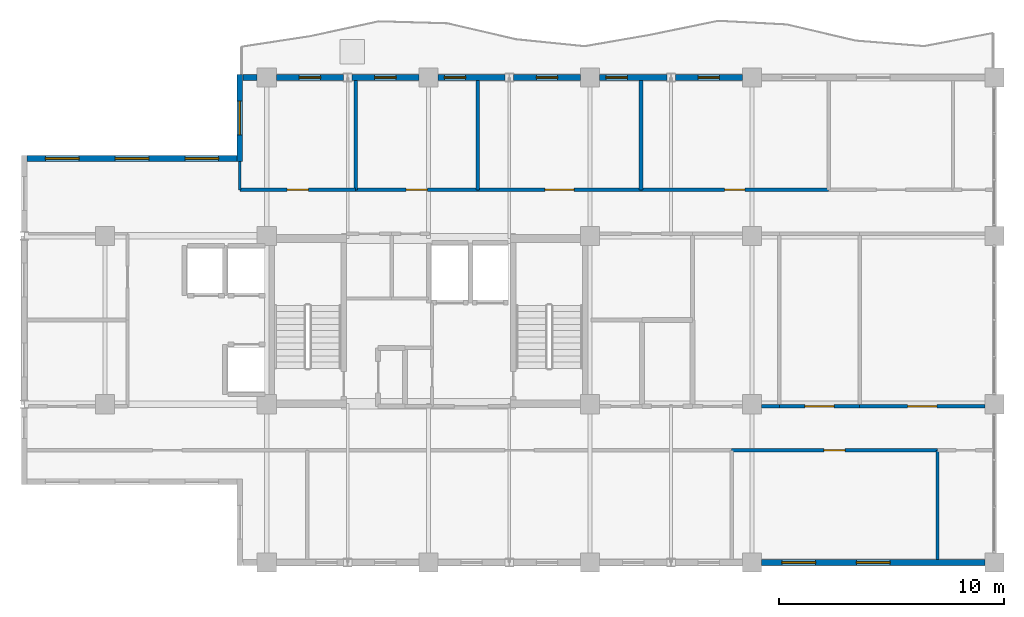
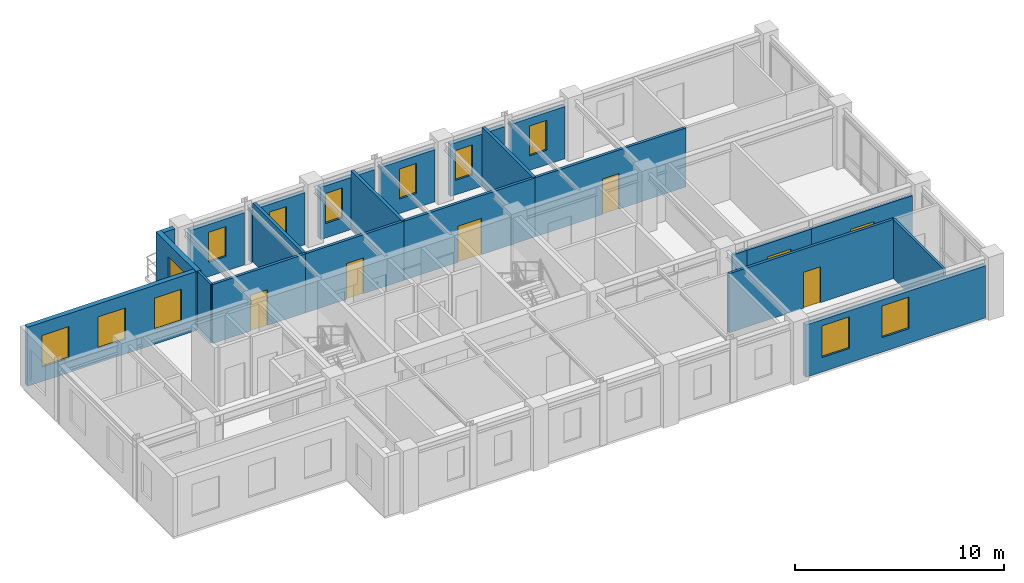
# One storey, part 8 of 10: 23 walls, 12 windows, 7 doors, 19 openings.
"""IFC4 building model written with IfcOpenShell, lengths in metres."""

from ifc_helpers import new_model, si_unit, direction, frame, frame_2d, origin, place, context, subcontext, project, spatial, rectangle, extrude, material, layer, layer_set, type_object, element, fill, save


model = new_model("IFC4")

# Units and contexts
model_context = context("Model", 3, precision=1e-05, world=origin(), true_north=direction((0.0, 1.0)))
body_context = subcontext(model_context, "Body", "Model", "MODEL_VIEW")
ifc_project = project(units=[si_unit("LENGTHUNIT", "METRE"), si_unit("AREAUNIT", "SQUARE_METRE"), si_unit("VOLUMEUNIT", "CUBIC_METRE"), si_unit("PLANEANGLEUNIT", "RADIAN"), si_unit("MASSUNIT", "GRAM", prefix="KILO")], contexts=[model_context])

# Site, building, storey
site_placement = place(None, origin())
site = spatial("IfcSite", under=ifc_project, at=site_placement, CompositionType="ELEMENT")
building_placement = place(site_placement, origin())
building = spatial("IfcBuilding", under=site, at=building_placement, Name="Kaliganga Portal Commons", CompositionType="ELEMENT")
storey_placement = place(building_placement, frame((0.0, 0.0, 275.800048828125)))
storey = spatial("IfcBuildingStorey", under=building, at=storey_placement, Name="L71", CompositionType="ELEMENT", Elevation=275.800048828125)

# Wall, openings, windows
ifc_material_1 = material(Name="Insulated Aluminium-Clad Spandrel Assembly", Category="aluminium")
ifc_layer_1 = layer(ifc_material_1, 0.260009765625)
ifc_layer_set_1 = layer_set([ifc_layer_1], Name="Insulated Aluminium-Clad Spandrel Assembly")
wall_type_1 = type_object("IfcWallType", Name="WL-EXT-SPAND-260", PredefinedType="STANDARD", material=ifc_layer_set_1)
wall_1_placement = place(storey_placement, frame((46.3740234375, 21.60009765625, 0.0), z_axis=(0.0, 0.0, 1.0), x_axis=(-1.0, 0.0, 0.0)))
wall_1 = element("IfcWall", 1, at=wall_1_placement, inside=storey, type_object=wall_type_1, Name="Exterior Envelope Wall L71 P1-E00-S8", PredefinedType="STANDARD", context=body_context, shape_type="SweptSolid", body=[
    extrude(rectangle(XDim=9.947998046875, YDim=0.260009765625, at=frame_2d((4.97412109375, 0.0))), origin(), (0.0, 0.0, 1.0), 3.054931640625),
])
opening_1_placement = place(wall_1_placement, frame((4.22412109375, 0.0, 0.85009765625)))
opening_1 = element("IfcOpeningElement", 2, at=opening_1_placement, cuts=wall_1, Name="Opening W-02", PredefinedType="OPENING", context=body_context, shape_type="SweptSolid", body=[
    extrude(rectangle(XDim=1.5, YDim=1.85009765625, at=frame_2d((0.75, 0.925048828125))), frame((0.0, 0.14013671875, 0.0), z_axis=(0.0, -1.0, 0.0), x_axis=(1.0, 0.0, 0.0)), (0.0, 0.0, 1.0), 0.280029296875),
])
opening_2_placement = place(wall_1_placement, frame((7.5400390625, 0.0, 0.85009765625)))
opening_2 = element("IfcOpeningElement", 3, at=opening_2_placement, cuts=wall_1, Name="Opening W-02", PredefinedType="OPENING", context=body_context, shape_type="SweptSolid", body=[
    extrude(rectangle(XDim=1.5, YDim=1.85009765625, at=frame_2d((0.75, 0.925048828125))), frame((0.0, 0.14013671875, 0.0), z_axis=(0.0, -1.0, 0.0), x_axis=(1.0, 0.0, 0.0)), (0.0, 0.0, 1.0), 0.280029296875),
])
ifc_material_2 = material(Name="Thermally Broken Aluminium and Low-E Double Glazing", Category="aluminium")
window_type_1 = type_object("IfcWindowType", Name="WIN-STD-1500", PartitioningType="DOUBLE_PANEL_VERTICAL", PredefinedType="WINDOW", material=ifc_material_2)
window_1_placement = place(opening_1_placement, origin())
window_1 = element("IfcWindow", 4, at=window_1_placement, inside=storey, type_object=window_type_1, Name="Facade Window L71-P1E00S8-01", OverallHeight=1.85009765625, OverallWidth=1.5, PartitioningType="SINGLE_PANEL", PredefinedType="WINDOW", context=body_context, shape_type="SweptSolid", body=[
    extrude(rectangle(XDim=1.5, YDim=1.85009765625, at=frame_2d((0.75, 0.925048828125))), frame((0.0, 0.030029296875, 0.0), z_axis=(0.0, -1.0, 0.0), x_axis=(1.0, 0.0, 0.0)), (0.0, 0.0, 1.0), 0.06005859375),
])
fill(opening_1, window_1)
window_2_placement = place(opening_2_placement, origin())
window_2 = element("IfcWindow", 5, at=window_2_placement, inside=storey, type_object=window_type_1, Name="Facade Window L71-P1E00S8-02", OverallHeight=1.85009765625, OverallWidth=1.5, PartitioningType="SINGLE_PANEL", PredefinedType="WINDOW", context=body_context, shape_type="SweptSolid", body=[
    extrude(rectangle(XDim=1.5, YDim=1.85009765625, at=frame_2d((0.75, 0.925048828125))), frame((0.0, 0.030029296875, 0.0), z_axis=(0.0, -1.0, 0.0), x_axis=(1.0, 0.0, 0.0)), (0.0, 0.0, 1.0), 0.06005859375),
])
fill(opening_2, window_2)

# Wall, opening, window
wall_2_placement = place(storey_placement, frame((32.587890625, 43.199951171875, 0.0), z_axis=(0.0, 0.0, 1.0), x_axis=(1.0, 0.0, 0.0)))
wall_2 = element("IfcWall", 6, at=wall_2_placement, inside=storey, type_object=wall_type_1, Name="Exterior Envelope Wall L71 P1-E02-S2", PredefinedType="STANDARD", context=body_context, shape_type="SweptSolid", body=[
    extrude(rectangle(XDim=2.986083984375, YDim=0.260009765625, at=frame_2d((1.4931640625, 0.0))), origin(), (0.0, 0.0, 1.0), 3.054931640625),
])
opening_3_placement = place(wall_2_placement, frame((1.01806640625, 0.0, 0.85009765625)))
opening_3 = element("IfcOpeningElement", 7, at=opening_3_placement, cuts=wall_2, Name="Opening W-04", PredefinedType="OPENING", context=body_context, shape_type="SweptSolid", body=[
    extrude(rectangle(XDim=0.949951171875, YDim=1.75, at=frame_2d((0.47509765625, 0.875))), frame((0.0, 0.14013671875, 0.0), z_axis=(0.0, -1.0, 0.0), x_axis=(1.0, 0.0, 0.0)), (0.0, 0.0, 1.0), 0.280029296875),
])
window_type_2 = type_object("IfcWindowType", Name="WIN-NARROW-950", PartitioningType="SINGLE_PANEL", PredefinedType="WINDOW", material=ifc_material_2)
window_3_placement = place(opening_3_placement, origin())
window_3 = element("IfcWindow", 8, at=window_3_placement, inside=storey, type_object=window_type_2, Name="Facade Window L71-P1E02S2-00", OverallHeight=1.75, OverallWidth=0.949951171875, PartitioningType="SINGLE_PANEL", PredefinedType="WINDOW", context=body_context, shape_type="SweptSolid", body=[
    extrude(rectangle(XDim=0.949951171875, YDim=1.75, at=frame_2d((0.47509765625, 0.875))), frame((0.0, 0.030029296875, 0.0), z_axis=(0.0, -1.0, 0.0), x_axis=(1.0, 0.0, 0.0)), (0.0, 0.0, 1.0), 0.06005859375),
])
fill(opening_3, window_3)

wall_3_placement = place(storey_placement, frame((29.22607421875, 43.199951171875, 0.0), z_axis=(0.0, 0.0, 1.0), x_axis=(1.0, 0.0, 0.0)))
wall_3 = element("IfcWall", 9, at=wall_3_placement, inside=storey, type_object=wall_type_1, Name="Exterior Envelope Wall L71 P1-E02-S3", PredefinedType="STANDARD", context=body_context, shape_type="SweptSolid", body=[
    extrude(rectangle(XDim=2.98583984375, YDim=0.260009765625, at=frame_2d((1.492919921875, 0.0))), origin(), (0.0, 0.0, 1.0), 3.054931640625),
])
opening_4_placement = place(wall_3_placement, frame((0.277587890625, 0.0, 0.85009765625)))
opening_4 = element("IfcOpeningElement", 10, at=opening_4_placement, cuts=wall_3, Name="Opening W-04", PredefinedType="OPENING", context=body_context, shape_type="SweptSolid", body=[
    extrude(rectangle(XDim=0.949951171875, YDim=1.75, at=frame_2d((0.47509765625, 0.875))), frame((0.0, 0.14013671875, 0.0), z_axis=(0.0, -1.0, 0.0), x_axis=(1.0, 0.0, 0.0)), (0.0, 0.0, 1.0), 0.280029296875),
])
window_4_placement = place(opening_4_placement, origin())
window_4 = element("IfcWindow", 11, at=window_4_placement, inside=storey, type_object=window_type_2, Name="Facade Window L71-P1E02S3-N1", OverallHeight=1.75, OverallWidth=0.949951171875, PartitioningType="SINGLE_PANEL", PredefinedType="WINDOW", context=body_context, shape_type="SweptSolid", body=[
    extrude(rectangle(XDim=0.949951171875, YDim=1.75, at=frame_2d((0.47509765625, 0.875))), frame((0.0, 0.030029296875, 0.0), z_axis=(0.0, -1.0, 0.0), x_axis=(1.0, 0.0, 0.0)), (0.0, 0.0, 1.0), 0.06005859375),
])
fill(opening_4, window_4)

wall_4_placement = place(storey_placement, frame((25.387939453125, 43.199951171875, 0.0), z_axis=(0.0, 0.0, 1.0), x_axis=(1.0, 0.0, 0.0)))
wall_4 = element("IfcWall", 12, at=wall_4_placement, inside=storey, type_object=wall_type_1, Name="Exterior Envelope Wall L71 P1-E02-S4", PredefinedType="STANDARD", context=body_context, shape_type="SweptSolid", body=[
    extrude(rectangle(XDim=2.986083984375, YDim=0.260009765625, at=frame_2d((1.4931640625, 0.0))), origin(), (0.0, 0.0, 1.0), 3.054931640625),
])
opening_5_placement = place(wall_4_placement, frame((1.01806640625, 0.0, 0.85009765625)))
opening_5 = element("IfcOpeningElement", 13, at=opening_5_placement, cuts=wall_4, Name="Opening W-04", PredefinedType="OPENING", context=body_context, shape_type="SweptSolid", body=[
    extrude(rectangle(XDim=0.949951171875, YDim=1.75, at=frame_2d((0.47509765625, 0.875))), frame((0.0, 0.14013671875, 0.0), z_axis=(0.0, -1.0, 0.0), x_axis=(1.0, 0.0, 0.0)), (0.0, 0.0, 1.0), 0.280029296875),
])
window_5_placement = place(opening_5_placement, origin())
window_5 = element("IfcWindow", 14, at=window_5_placement, inside=storey, type_object=window_type_2, Name="Facade Window L71-P1E02S4-00", OverallHeight=1.75, OverallWidth=0.949951171875, PartitioningType="SINGLE_PANEL", PredefinedType="WINDOW", context=body_context, shape_type="SweptSolid", body=[
    extrude(rectangle(XDim=0.949951171875, YDim=1.75, at=frame_2d((0.47509765625, 0.875))), frame((0.0, 0.030029296875, 0.0), z_axis=(0.0, -1.0, 0.0), x_axis=(1.0, 0.0, 0.0)), (0.0, 0.0, 1.0), 0.06005859375),
])
fill(opening_5, window_5)

wall_5_placement = place(storey_placement, frame((22.02587890625, 43.199951171875, 0.0), z_axis=(0.0, 0.0, 1.0), x_axis=(1.0, 0.0, 0.0)))
wall_5 = element("IfcWall", 15, at=wall_5_placement, inside=storey, type_object=wall_type_1, Name="Exterior Envelope Wall L71 P1-E02-S5", PredefinedType="STANDARD", context=body_context, shape_type="SweptSolid", body=[
    extrude(rectangle(XDim=2.986083984375, YDim=0.260009765625, at=frame_2d((1.4931640625, 0.0))), origin(), (0.0, 0.0, 1.0), 3.054931640625),
])
opening_6_placement = place(wall_5_placement, frame((0.277587890625, 0.0, 0.85009765625)))
opening_6 = element("IfcOpeningElement", 16, at=opening_6_placement, cuts=wall_5, Name="Opening W-04", PredefinedType="OPENING", context=body_context, shape_type="SweptSolid", body=[
    extrude(rectangle(XDim=0.949951171875, YDim=1.75, at=frame_2d((0.47509765625, 0.875))), frame((0.0, 0.14013671875, 0.0), z_axis=(0.0, -1.0, 0.0), x_axis=(1.0, 0.0, 0.0)), (0.0, 0.0, 1.0), 0.280029296875),
])
window_6_placement = place(opening_6_placement, origin())
window_6 = element("IfcWindow", 17, at=window_6_placement, inside=storey, type_object=window_type_2, Name="Facade Window L71-P1E02S5-N1", OverallHeight=1.75, OverallWidth=0.949951171875, PartitioningType="SINGLE_PANEL", PredefinedType="WINDOW", context=body_context, shape_type="SweptSolid", body=[
    extrude(rectangle(XDim=0.949951171875, YDim=1.75, at=frame_2d((0.47509765625, 0.875))), frame((0.0, 0.030029296875, 0.0), z_axis=(0.0, -1.0, 0.0), x_axis=(1.0, 0.0, 0.0)), (0.0, 0.0, 1.0), 0.06005859375),
])
fill(opening_6, window_6)

wall_6_placement = place(storey_placement, frame((18.18798828125, 43.199951171875, 0.0), z_axis=(0.0, 0.0, 1.0), x_axis=(1.0, 0.0, 0.0)))
wall_6 = element("IfcWall", 18, at=wall_6_placement, inside=storey, type_object=wall_type_1, Name="Exterior Envelope Wall L71 P1-E02-S6", PredefinedType="STANDARD", context=body_context, shape_type="SweptSolid", body=[
    extrude(rectangle(XDim=2.986083984375, YDim=0.260009765625, at=frame_2d((1.4931640625, 0.0))), origin(), (0.0, 0.0, 1.0), 3.054931640625),
])
opening_7_placement = place(wall_6_placement, frame((1.01806640625, 0.0, 0.85009765625)))
opening_7 = element("IfcOpeningElement", 19, at=opening_7_placement, cuts=wall_6, Name="Opening W-04", PredefinedType="OPENING", context=body_context, shape_type="SweptSolid", body=[
    extrude(rectangle(XDim=0.949951171875, YDim=1.75, at=frame_2d((0.47509765625, 0.875))), frame((0.0, 0.14013671875, 0.0), z_axis=(0.0, -1.0, 0.0), x_axis=(1.0, 0.0, 0.0)), (0.0, 0.0, 1.0), 0.280029296875),
])
window_7_placement = place(opening_7_placement, origin())
window_7 = element("IfcWindow", 20, at=window_7_placement, inside=storey, type_object=window_type_2, Name="Facade Window L71-P1E02S6-00", OverallHeight=1.75, OverallWidth=0.949951171875, PartitioningType="SINGLE_PANEL", PredefinedType="WINDOW", context=body_context, shape_type="SweptSolid", body=[
    extrude(rectangle(XDim=0.949951171875, YDim=1.75, at=frame_2d((0.47509765625, 0.875))), frame((0.0, 0.030029296875, 0.0), z_axis=(0.0, -1.0, 0.0), x_axis=(1.0, 0.0, 0.0)), (0.0, 0.0, 1.0), 0.06005859375),
])
fill(opening_7, window_7)

wall_7_placement = place(storey_placement, frame((14.825927734375, 43.199951171875, 0.0), z_axis=(0.0, 0.0, 1.0), x_axis=(1.0, 0.0, 0.0)))
wall_7 = element("IfcWall", 21, at=wall_7_placement, inside=storey, type_object=wall_type_1, Name="Exterior Envelope Wall L71 P1-E02-S7", PredefinedType="STANDARD", context=body_context, shape_type="SweptSolid", body=[
    extrude(rectangle(XDim=2.986083984375, YDim=0.260009765625, at=frame_2d((1.4931640625, 0.0))), origin(), (0.0, 0.0, 1.0), 3.054931640625),
])
opening_8_placement = place(wall_7_placement, frame((1.01806640625, 0.0, 0.85009765625)))
opening_8 = element("IfcOpeningElement", 22, at=opening_8_placement, cuts=wall_7, Name="Opening W-04", PredefinedType="OPENING", context=body_context, shape_type="SweptSolid", body=[
    extrude(rectangle(XDim=0.949951171875, YDim=1.75, at=frame_2d((0.47509765625, 0.875))), frame((0.0, 0.14013671875, 0.0), z_axis=(0.0, -1.0, 0.0), x_axis=(1.0, 0.0, 0.0)), (0.0, 0.0, 1.0), 0.280029296875),
])
window_8_placement = place(opening_8_placement, origin())
window_8 = element("IfcWindow", 23, at=window_8_placement, inside=storey, type_object=window_type_2, Name="Facade Window L71-P1E02S7-00", OverallHeight=1.75, OverallWidth=0.949951171875, PartitioningType="SINGLE_PANEL", PredefinedType="WINDOW", context=body_context, shape_type="SweptSolid", body=[
    extrude(rectangle(XDim=0.949951171875, YDim=1.75, at=frame_2d((0.47509765625, 0.875))), frame((0.0, 0.030029296875, 0.0), z_axis=(0.0, -1.0, 0.0), x_axis=(1.0, 0.0, 0.0)), (0.0, 0.0, 1.0), 0.06005859375),
])
fill(opening_8, window_8)

# Wall
wall_8_placement = place(storey_placement, frame((13.3349609375, 43.199951171875, 0.0), z_axis=(0.0, 0.0, 1.0), x_axis=(1.0, 0.0, 0.0)))
element("IfcWall", 24, at=wall_8_placement, inside=storey, type_object=wall_type_1, Name="Exterior Envelope Wall L71 P1-E02-S8", PredefinedType="STANDARD", context=body_context, shape_type="SweptSolid", body=[
    extrude(rectangle(XDim=0.63916015625, YDim=0.260009765625, at=frame_2d((0.319580078125, 0.0))), origin(), (0.0, 0.0, 1.0), 3.454833984375),
])

# Wall, opening, window
wall_9_placement = place(storey_placement, frame((13.199951171875, 39.469970703125, 0.0), z_axis=(0.0, 0.0, 1.0), x_axis=(0.0, 1.0, 0.0)))
wall_9 = element("IfcWall", 25, at=wall_9_placement, inside=storey, type_object=wall_type_1, Name="Exterior Envelope Wall L71 P1-E03-S1", PredefinedType="STANDARD", context=body_context, shape_type="SweptSolid", body=[
    extrude(rectangle(XDim=3.860107421875, YDim=0.260009765625, at=frame_2d((1.93017578125, 0.0))), origin(), (0.0, 0.0, 1.0), 3.454833984375),
])
opening_9_placement = place(wall_9_placement, frame((1.179931640625, 0.0, 0.85009765625)))
opening_9 = element("IfcOpeningElement", 26, at=opening_9_placement, cuts=wall_9, Name="Opening W-02", PredefinedType="OPENING", context=body_context, shape_type="SweptSolid", body=[
    extrude(rectangle(XDim=1.5, YDim=1.85009765625, at=frame_2d((0.75, 0.925048828125))), frame((0.0, 0.14013671875, 0.0), z_axis=(0.0, -1.0, 0.0), x_axis=(1.0, 0.0, 0.0)), (0.0, 0.0, 1.0), 0.280029296875),
])
window_9_placement = place(opening_9_placement, origin())
window_9 = element("IfcWindow", 27, at=window_9_placement, inside=storey, type_object=window_type_1, Name="Facade Window L71-P1E03S1-00", OverallHeight=1.85009765625, OverallWidth=1.5, PartitioningType="SINGLE_PANEL", PredefinedType="WINDOW", context=body_context, shape_type="SweptSolid", body=[
    extrude(rectangle(XDim=1.5, YDim=1.85009765625, at=frame_2d((0.75, 0.925048828125))), frame((0.0, 0.030029296875, 0.0), z_axis=(0.0, -1.0, 0.0), x_axis=(1.0, 0.0, 0.0)), (0.0, 0.0, 1.0), 0.06005859375),
])
fill(opening_9, window_9)

# Wall, openings, windows
wall_10_placement = place(storey_placement, frame((3.735107421875, 39.60009765625, 0.0), z_axis=(0.0, 0.0, 1.0), x_axis=(1.0, 0.0, 0.0)))
wall_10 = element("IfcWall", 28, at=wall_10_placement, inside=storey, type_object=wall_type_1, Name="Exterior Envelope Wall L71 P1-E04-S1", PredefinedType="STANDARD", context=body_context, shape_type="SweptSolid", body=[
    extrude(rectangle(XDim=9.329833984375, YDim=0.260009765625, at=frame_2d((4.6650390625, 0.0))), origin(), (0.0, 0.0, 1.0), 3.454833984375),
])
opening_10_placement = place(wall_10_placement, frame((0.804931640625, 0.0, 0.85009765625)))
opening_10 = element("IfcOpeningElement", 29, at=opening_10_placement, cuts=wall_10, Name="Opening W-02", PredefinedType="OPENING", context=body_context, shape_type="SweptSolid", body=[
    extrude(rectangle(XDim=1.5, YDim=1.85009765625, at=frame_2d((0.75, 0.925048828125))), frame((0.0, 0.14013671875, 0.0), z_axis=(0.0, -1.0, 0.0), x_axis=(1.0, 0.0, 0.0)), (0.0, 0.0, 1.0), 0.280029296875),
])
opening_11_placement = place(wall_10_placement, frame((3.9150390625, 0.0, 0.85009765625)))
opening_11 = element("IfcOpeningElement", 30, at=opening_11_placement, cuts=wall_10, Name="Opening W-02", PredefinedType="OPENING", context=body_context, shape_type="SweptSolid", body=[
    extrude(rectangle(XDim=1.5, YDim=1.85009765625, at=frame_2d((0.75, 0.925048828125))), frame((0.0, 0.14013671875, 0.0), z_axis=(0.0, -1.0, 0.0), x_axis=(1.0, 0.0, 0.0)), (0.0, 0.0, 1.0), 0.280029296875),
])
opening_12_placement = place(wall_10_placement, frame((7.02490234375, 0.0, 0.85009765625)))
opening_12 = element("IfcOpeningElement", 31, at=opening_12_placement, cuts=wall_10, Name="Opening W-02", PredefinedType="OPENING", context=body_context, shape_type="SweptSolid", body=[
    extrude(rectangle(XDim=1.5, YDim=1.85009765625, at=frame_2d((0.75, 0.925048828125))), frame((0.0, 0.14013671875, 0.0), z_axis=(0.0, -1.0, 0.0), x_axis=(1.0, 0.0, 0.0)), (0.0, 0.0, 1.0), 0.280029296875),
])
window_10_placement = place(opening_10_placement, origin())
window_10 = element("IfcWindow", 32, at=window_10_placement, inside=storey, type_object=window_type_1, Name="Facade Window L71-P1E04S1-00", OverallHeight=1.85009765625, OverallWidth=1.5, PartitioningType="SINGLE_PANEL", PredefinedType="WINDOW", context=body_context, shape_type="SweptSolid", body=[
    extrude(rectangle(XDim=1.5, YDim=1.85009765625, at=frame_2d((0.75, 0.925048828125))), frame((0.0, 0.030029296875, 0.0), z_axis=(0.0, -1.0, 0.0), x_axis=(1.0, 0.0, 0.0)), (0.0, 0.0, 1.0), 0.06005859375),
])
fill(opening_10, window_10)
window_11_placement = place(opening_11_placement, origin())
window_11 = element("IfcWindow", 33, at=window_11_placement, inside=storey, type_object=window_type_1, Name="Facade Window L71-P1E04S1-01", OverallHeight=1.85009765625, OverallWidth=1.5, PartitioningType="SINGLE_PANEL", PredefinedType="WINDOW", context=body_context, shape_type="SweptSolid", body=[
    extrude(rectangle(XDim=1.5, YDim=1.85009765625, at=frame_2d((0.75, 0.925048828125))), frame((0.0, 0.030029296875, 0.0), z_axis=(0.0, -1.0, 0.0), x_axis=(1.0, 0.0, 0.0)), (0.0, 0.0, 1.0), 0.06005859375),
])
fill(opening_11, window_11)
window_12_placement = place(opening_12_placement, origin())
window_12 = element("IfcWindow", 34, at=window_12_placement, inside=storey, type_object=window_type_1, Name="Facade Window L71-P1E04S1-02", OverallHeight=1.85009765625, OverallWidth=1.5, PartitioningType="SINGLE_PANEL", PredefinedType="WINDOW", context=body_context, shape_type="SweptSolid", body=[
    extrude(rectangle(XDim=1.5, YDim=1.85009765625, at=frame_2d((0.75, 0.925048828125))), frame((0.0, 0.030029296875, 0.0), z_axis=(0.0, -1.0, 0.0), x_axis=(1.0, 0.0, 0.0)), (0.0, 0.0, 1.0), 0.06005859375),
])
fill(opening_12, window_12)

# Wall, opening, door
ifc_material_3 = material(Name="Fire-Rated Gypsum Board on Steel Stud", Category="steel")
ifc_layer_2 = layer(ifc_material_3, 0.14990234375)
ifc_layer_set_2 = layer_set([ifc_layer_2], Name="Fire-Rated Gypsum Board on Steel Stud")
wall_type_2 = type_object("IfcWallType", Name="WL-PART-CORR-150", PredefinedType="PARTITIONING", material=ifc_layer_set_2)
wall_11_placement = place(storey_placement, frame((35.10009765625, 26.60009765625, 0.0), z_axis=(0.0, 0.0, 1.0), x_axis=(1.0, 0.0, 0.0)))
wall_11 = element("IfcWall", 35, at=wall_11_placement, inside=storey, type_object=wall_type_2, Name="Interior Partition L71-003", PredefinedType="PARTITIONING", context=body_context, shape_type="SweptSolid", body=[
    extrude(rectangle(XDim=9.159912109375, YDim=0.14990234375, at=frame_2d((4.580078125, 0.0))), origin(), (0.0, 0.0, 1.0), 3.454833984375),
])
opening_13_placement = place(wall_11_placement, frame((4.10498046875, 0.0, 0.0)))
opening_13 = element("IfcOpeningElement", 36, at=opening_13_placement, cuts=wall_11, Name="Opening UD-01", PredefinedType="OPENING", context=body_context, shape_type="SweptSolid", body=[
    extrude(rectangle(XDim=0.949951171875, YDim=2.10009765625, at=frame_2d((0.47509765625, 1.050048828125))), frame((0.0, 0.0849609375, 0.0), z_axis=(0.0, -1.0, 0.0), x_axis=(1.0, 0.0, 0.0)), (0.0, 0.0, 1.0), 0.169921875),
])
ifc_material_4 = material(Name="Solid-Core Timber Acoustic Fire Door", Category="wood")
door_type_1 = type_object("IfcDoorType", Name="DR-UNIT-950", OperationType="NOTDEFINED", PredefinedType="DOOR", material=ifc_material_4)
door_1_placement = place(opening_13_placement, origin())
door_1 = element("IfcDoor", 37, at=door_1_placement, inside=storey, type_object=door_type_1, Name="Interior Door L71-AS03", OperationType="SINGLE_SWING_RIGHT", OverallHeight=2.10009765625, OverallWidth=0.949951171875, PredefinedType="DOOR", context=body_context, shape_type="SweptSolid", body=[
    extrude(rectangle(XDim=0.949951171875, YDim=2.10009765625, at=frame_2d((0.47509765625, 1.050048828125))), frame((0.0, 0.02490234375, 0.0), z_axis=(0.0, -1.0, 0.0), x_axis=(1.0, 0.0, 0.0)), (0.0, 0.0, 1.0), 0.050048828125),
])
fill(opening_13, door_1)

wall_12_placement = place(storey_placement, frame((31.06005859375, 38.199951171875, 0.0), z_axis=(0.0, 0.0, 1.0), x_axis=(1.0, 0.0, 0.0)))
wall_12 = element("IfcWall", 38, at=wall_12_placement, inside=storey, type_object=wall_type_2, Name="Interior Partition L71-004", PredefinedType="PARTITIONING", context=body_context, shape_type="SweptSolid", body=[
    extrude(rectangle(XDim=8.35986328125, YDim=0.14990234375, at=frame_2d((4.179931640625, 0.0))), origin(), (0.0, 0.0, 1.0), 3.454833984375),
])
opening_14_placement = place(wall_12_placement, frame((3.72998046875, 0.0, 0.0)))
opening_14 = element("IfcOpeningElement", 39, at=opening_14_placement, cuts=wall_12, Name="Opening RD-01", PredefinedType="OPENING", context=body_context, shape_type="SweptSolid", body=[
    extrude(rectangle(XDim=0.89990234375, YDim=2.080078125, at=frame_2d((0.449951171875, 1.0400390625))), frame((0.0, 0.0849609375, 0.0), z_axis=(0.0, -1.0, 0.0), x_axis=(1.0, 0.0, 0.0)), (0.0, 0.0, 1.0), 0.169921875),
])
ifc_material_5 = material(Name="Engineered Timber Flush Door", Category="wood")
door_type_2 = type_object("IfcDoorType", Name="DR-ROOM-900", OperationType="NOTDEFINED", PredefinedType="DOOR", material=ifc_material_5)
door_2_placement = place(opening_14_placement, origin())
door_2 = element("IfcDoor", 40, at=door_2_placement, inside=storey, type_object=door_type_2, Name="Interior Door L71-AN04", OperationType="SINGLE_SWING_LEFT", OverallHeight=2.080078125, OverallWidth=0.89990234375, PredefinedType="DOOR", context=body_context, shape_type="SweptSolid", body=[
    extrude(rectangle(XDim=0.89990234375, YDim=2.080078125, at=frame_2d((0.449951171875, 1.0400390625))), frame((0.0, 0.02490234375, 0.0), z_axis=(0.0, -1.0, 0.0), x_axis=(1.0, 0.0, 0.0)), (0.0, 0.0, 1.0), 0.050048828125),
])
fill(opening_14, door_2)

wall_13_placement = place(storey_placement, frame((23.800048828125, 38.199951171875, 0.0), z_axis=(0.0, 0.0, 1.0), x_axis=(1.0, 0.0, 0.0)))
wall_13 = element("IfcWall", 41, at=wall_13_placement, inside=storey, type_object=wall_type_2, Name="Interior Partition L71-005", PredefinedType="PARTITIONING", context=body_context, shape_type="SweptSolid", body=[
    extrude(rectangle(XDim=7.260009765625, YDim=0.14990234375, at=frame_2d((3.6298828125, 0.0))), origin(), (0.0, 0.0, 1.0), 3.454833984375),
])
opening_15_placement = place(wall_13_placement, frame((2.97998046875, 0.0, 0.0)))
opening_15 = element("IfcOpeningElement", 42, at=opening_15_placement, cuts=wall_13, Name="Opening RD-03", PredefinedType="OPENING", context=body_context, shape_type="SweptSolid", body=[
    extrude(rectangle(XDim=1.300048828125, YDim=2.1201171875, at=frame_2d((0.64990234375, 1.06005859375))), frame((0.0, 0.0849609375, 0.0), z_axis=(0.0, -1.0, 0.0), x_axis=(1.0, 0.0, 0.0)), (0.0, 0.0, 1.0), 0.169921875),
])
ifc_material_6 = material(Name="Glazed Timber Seminar Vision Door", Category="wood")
door_type_3 = type_object("IfcDoorType", Name="DR-STUDY-1300", OperationType="DOUBLE_DOOR_SINGLE_SWING", PredefinedType="DOOR", material=ifc_material_6)
door_3_placement = place(opening_15_placement, origin())
door_3 = element("IfcDoor", 43, at=door_3_placement, inside=storey, type_object=door_type_3, Name="Interior Door L71-AN03", OperationType="DOUBLE_DOOR_SINGLE_SWING", OverallHeight=2.1201171875, OverallWidth=1.300048828125, PredefinedType="DOOR", context=body_context, shape_type="SweptSolid", body=[
    extrude(rectangle(XDim=1.300048828125, YDim=2.1201171875, at=frame_2d((0.64990234375, 1.06005859375))), frame((0.0, 0.02490234375, 0.0), z_axis=(0.0, -1.0, 0.0), x_axis=(1.0, 0.0, 0.0)), (0.0, 0.0, 1.0), 0.050048828125),
])
fill(opening_15, door_3)

wall_14_placement = place(storey_placement, frame((40.800048828125, 28.56005859375, 0.0), z_axis=(0.0, 0.0, 1.0), x_axis=(1.0, 0.0, 0.0)))
wall_14 = element("IfcWall", 44, at=wall_14_placement, inside=storey, type_object=wall_type_2, Name="Interior Partition L71-006", PredefinedType="PARTITIONING", context=body_context, shape_type="SweptSolid", body=[
    extrude(rectangle(XDim=5.574951171875, YDim=0.14990234375, at=frame_2d((2.78759765625, 0.0))), origin(), (0.0, 0.0, 1.0), 2.905029296875),
])
opening_16_placement = place(wall_14_placement, frame((2.137451171875, 0.0, 0.0)))
opening_16 = element("IfcOpeningElement", 45, at=opening_16_placement, cuts=wall_14, Name="Opening RD-03", PredefinedType="OPENING", context=body_context, shape_type="SweptSolid", body=[
    extrude(rectangle(XDim=1.300048828125, YDim=2.1201171875, at=frame_2d((0.64990234375, 1.06005859375))), frame((0.0, 0.0849609375, 0.0), z_axis=(0.0, -1.0, 0.0), x_axis=(1.0, 0.0, 0.0)), (0.0, 0.0, 1.0), 0.169921875),
])
door_4_placement = place(opening_16_placement, origin())
door_4 = element("IfcDoor", 46, at=door_4_placement, inside=storey, type_object=door_type_3, Name="Interior Door L71-AE03", OperationType="DOUBLE_DOOR_SINGLE_SWING", OverallHeight=2.1201171875, OverallWidth=1.300048828125, PredefinedType="DOOR", context=body_context, shape_type="SweptSolid", body=[
    extrude(rectangle(XDim=1.300048828125, YDim=2.1201171875, at=frame_2d((0.64990234375, 1.06005859375))), frame((0.0, 0.02490234375, 0.0), z_axis=(0.0, -1.0, 0.0), x_axis=(1.0, 0.0, 0.0)), (0.0, 0.0, 1.0), 0.050048828125),
])
fill(opening_16, door_4)

wall_15_placement = place(storey_placement, frame((18.360107421875, 38.199951171875, 0.0), z_axis=(0.0, 0.0, 1.0), x_axis=(1.0, 0.0, 0.0)))
wall_15 = element("IfcWall", 47, at=wall_15_placement, inside=storey, type_object=wall_type_2, Name="Interior Partition L71-009", PredefinedType="PARTITIONING", context=body_context, shape_type="SweptSolid", body=[
    extrude(rectangle(XDim=5.43994140625, YDim=0.14990234375, at=frame_2d((2.719970703125, 0.0))), origin(), (0.0, 0.0, 1.0), 3.454833984375),
])
opening_17_placement = place(wall_15_placement, frame((2.2451171875, 0.0, 0.0)))
opening_17 = element("IfcOpeningElement", 48, at=opening_17_placement, cuts=wall_15, Name="Opening UD-01", PredefinedType="OPENING", context=body_context, shape_type="SweptSolid", body=[
    extrude(rectangle(XDim=0.949951171875, YDim=2.10009765625, at=frame_2d((0.47509765625, 1.050048828125))), frame((0.0, 0.0849609375, 0.0), z_axis=(0.0, -1.0, 0.0), x_axis=(1.0, 0.0, 0.0)), (0.0, 0.0, 1.0), 0.169921875),
])
door_5_placement = place(opening_17_placement, origin())
door_5 = element("IfcDoor", 49, at=door_5_placement, inside=storey, type_object=door_type_1, Name="Interior Door L71-AN02", OperationType="SINGLE_SWING_LEFT", OverallHeight=2.10009765625, OverallWidth=0.949951171875, PredefinedType="DOOR", context=body_context, shape_type="SweptSolid", body=[
    extrude(rectangle(XDim=0.949951171875, YDim=2.10009765625, at=frame_2d((0.47509765625, 1.050048828125))), frame((0.0, 0.02490234375, 0.0), z_axis=(0.0, -1.0, 0.0), x_axis=(1.0, 0.0, 0.0)), (0.0, 0.0, 1.0), 0.050048828125),
])
fill(opening_17, door_5)

wall_16_placement = place(storey_placement, frame((13.199951171875, 38.199951171875, 0.0), z_axis=(0.0, 0.0, 1.0), x_axis=(1.0, 0.0, 0.0)))
wall_16 = element("IfcWall", 50, at=wall_16_placement, inside=storey, type_object=wall_type_2, Name="Interior Partition L71-010", PredefinedType="PARTITIONING", context=body_context, shape_type="SweptSolid", body=[
    extrude(rectangle(XDim=5.16015625, YDim=0.14990234375, at=frame_2d((2.580078125, 0.0))), origin(), (0.0, 0.0, 1.0), 3.454833984375),
])
opening_18_placement = place(wall_16_placement, frame((2.10498046875, 0.0, 0.0)))
opening_18 = element("IfcOpeningElement", 51, at=opening_18_placement, cuts=wall_16, Name="Opening UD-01", PredefinedType="OPENING", context=body_context, shape_type="SweptSolid", body=[
    extrude(rectangle(XDim=0.949951171875, YDim=2.10009765625, at=frame_2d((0.47509765625, 1.050048828125))), frame((0.0, 0.0849609375, 0.0), z_axis=(0.0, -1.0, 0.0), x_axis=(1.0, 0.0, 0.0)), (0.0, 0.0, 1.0), 0.169921875),
])
door_6_placement = place(opening_18_placement, origin())
door_6 = element("IfcDoor", 52, at=door_6_placement, inside=storey, type_object=door_type_1, Name="Interior Door L71-AN01", OperationType="SINGLE_SWING_RIGHT", OverallHeight=2.10009765625, OverallWidth=0.949951171875, PredefinedType="DOOR", context=body_context, shape_type="SweptSolid", body=[
    extrude(rectangle(XDim=0.949951171875, YDim=2.10009765625, at=frame_2d((0.47509765625, 1.050048828125))), frame((0.0, 0.02490234375, 0.0), z_axis=(0.0, -1.0, 0.0), x_axis=(1.0, 0.0, 0.0)), (0.0, 0.0, 1.0), 0.050048828125),
])
fill(opening_18, door_6)

# Wall
wall_17_placement = place(storey_placement, frame((36.425048828125, 28.56005859375, 0.0), z_axis=(0.0, 0.0, 1.0), x_axis=(1.0, 0.0, 0.0)))
element("IfcWall", 53, at=wall_17_placement, inside=storey, type_object=wall_type_2, Name="Interior Partition L71-015", PredefinedType="PARTITIONING", context=body_context, shape_type="SweptSolid", body=[
    extrude(rectangle(XDim=0.794921875, YDim=0.14990234375, at=frame_2d((0.3974609375, 0.0))), origin(), (0.0, 0.0, 1.0), 2.905029296875),
])

# Wall, opening, door
wall_18_placement = place(storey_placement, frame((37.219970703125, 28.56005859375, 0.0), z_axis=(0.0, 0.0, 1.0), x_axis=(1.0, 0.0, 0.0)))
wall_18 = element("IfcWall", 54, at=wall_18_placement, inside=storey, type_object=wall_type_2, Name="Interior Partition L71-020", PredefinedType="PARTITIONING", context=body_context, shape_type="SweptSolid", body=[
    extrude(rectangle(XDim=3.580078125, YDim=0.14990234375, at=frame_2d((1.7900390625, 0.0))), origin(), (0.0, 0.0, 1.0), 2.905029296875),
])
opening_19_placement = place(wall_18_placement, frame((1.139892578125, 0.0, 0.0)))
opening_19 = element("IfcOpeningElement", 55, at=opening_19_placement, cuts=wall_18, Name="Opening RD-03", PredefinedType="OPENING", context=body_context, shape_type="SweptSolid", body=[
    extrude(rectangle(XDim=1.300048828125, YDim=2.1201171875, at=frame_2d((0.64990234375, 1.06005859375))), frame((0.0, 0.0849609375, 0.0), z_axis=(0.0, -1.0, 0.0), x_axis=(1.0, 0.0, 0.0)), (0.0, 0.0, 1.0), 0.169921875),
])
door_7_placement = place(opening_19_placement, origin())
door_7 = element("IfcDoor", 56, at=door_7_placement, inside=storey, type_object=door_type_3, Name="Interior Door L71-AE02", OperationType="DOUBLE_DOOR_SINGLE_SWING", OverallHeight=2.1201171875, OverallWidth=1.300048828125, PredefinedType="DOOR", context=body_context, shape_type="SweptSolid", body=[
    extrude(rectangle(XDim=1.300048828125, YDim=2.1201171875, at=frame_2d((0.64990234375, 1.06005859375))), frame((0.0, 0.02490234375, 0.0), z_axis=(0.0, -1.0, 0.0), x_axis=(1.0, 0.0, 0.0)), (0.0, 0.0, 1.0), 0.050048828125),
])
fill(opening_19, door_7)

# Walls
ifc_material_7 = material(Name="Moisture-Resistant Gypsum Partition", Category="gypsum")
ifc_layer_3 = layer(ifc_material_7, 0.114990234375)
ifc_layer_set_3 = layer_set([ifc_layer_3], Name="Moisture-Resistant Gypsum Partition")
wall_type_3 = type_object("IfcWallType", Name="WL-PART-ROOM-115", PredefinedType="PARTITIONING", material=ifc_layer_set_3)
wall_19_placement = place(storey_placement, frame((13.199951171875, 38.199951171875, 0.0), z_axis=(0.0, 0.0, 1.0), x_axis=(0.0, 1.0, 0.0)))
element("IfcWall", 57, at=wall_19_placement, inside=storey, type_object=wall_type_3, Name="Interior Partition L71-038", PredefinedType="PARTITIONING", context=body_context, shape_type="SweptSolid", body=[
    extrude(rectangle(XDim=1.26806640625, YDim=0.114990234375, at=frame_2d((0.634033203125, 0.0))), origin(), (0.0, 0.0, 1.0), 3.454833984375),
])
ifc_material_8 = material(Name="Twin-Stud Acoustic Gypsum Partition", Category="gypsum")
ifc_layer_4 = layer(ifc_material_8, 0.1650390625)
ifc_layer_set_4 = layer_set([ifc_layer_4], Name="Twin-Stud Acoustic Gypsum Partition")
wall_type_4 = type_object("IfcWallType", Name="WL-PART-UNIT-165", PredefinedType="PARTITIONING", material=ifc_layer_set_4)
for number, where, z_axis, x_axis, name in (
    (58, (18.360107421875, 38.199951171875, 0.0), (0.0, 0.0, 1.0), (0.0, 1.0, 0.0), "Interior Partition L71-040"),
    (59, (23.800048828125, 38.199951171875, 0.0), (0.0, 0.0, 1.0), (0.0, 1.0, 0.0), "Interior Partition L71-041"),
    (60, (31.06005859375, 38.199951171875, 0.0), (0.0, 0.0, 1.0), (0.0, 1.0, 0.0), "Interior Partition L71-042"),
):
    element("IfcWall", number, at=place(storey_placement, frame(where, z_axis=z_axis, x_axis=x_axis)), inside=storey, type_object=wall_type_4, Name=name, PredefinedType="PARTITIONING", context=body_context, shape_type="SweptSolid", body=[
        extrude(rectangle(XDim=4.8681640625, YDim=0.1650390625, at=frame_2d((2.43408203125, 0.0))), origin(), (0.0, 0.0, 1.0), 3.454833984375),
    ])
ifc_material_9 = material(Name="Cement-Board Wet-Room Partition", Category="gypsum")
ifc_layer_5 = layer(ifc_material_9, 0.135009765625)
ifc_layer_set_5 = layer_set([ifc_layer_5], Name="Cement-Board Wet-Room Partition")
wall_type_5 = type_object("IfcWallType", Name="WL-PART-WET-135", PredefinedType="PARTITIONING", material=ifc_layer_set_5)
wall_20_placement = place(storey_placement, frame((44.260009765625, 21.73193359375, 0.0), z_axis=(0.0, 0.0, 1.0), x_axis=(0.0, 1.0, 0.0)))
element("IfcWall", 61, at=wall_20_placement, inside=storey, type_object=wall_type_5, Name="Interior Partition L71-045", PredefinedType="PARTITIONING", context=body_context, shape_type="SweptSolid", body=[
    extrude(rectangle(XDim=4.8681640625, YDim=0.135009765625, at=frame_2d((2.43408203125, 0.0))), origin(), (0.0, 0.0, 1.0), 3.454833984375),
])

save(model, "model.ifc")
